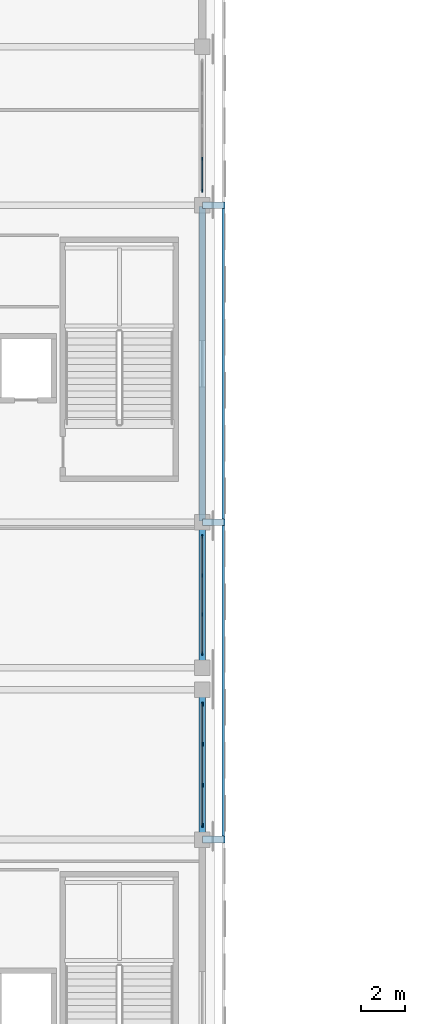
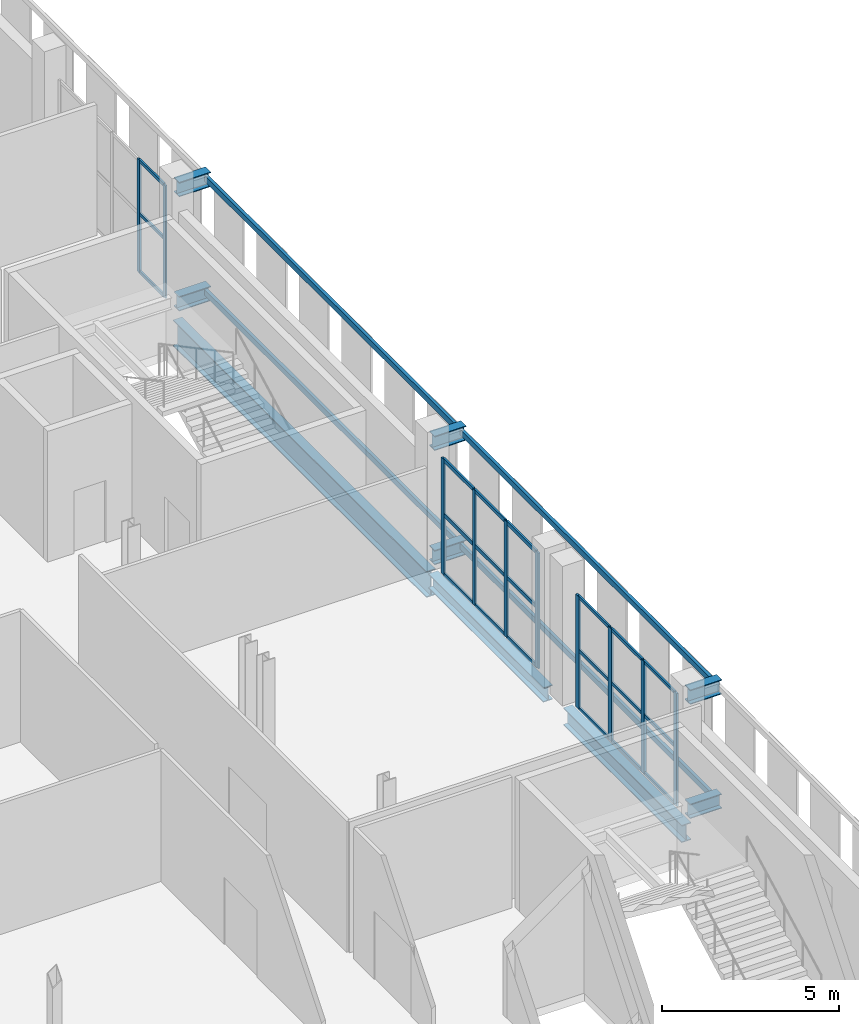
# One storey, part 49 of 104: 35 members, 9 beams, 3 elements without a shape of their own.
"""IFC4 building model written with IfcOpenShell, lengths in metres."""

from ifc_helpers import new_model, si_unit, direction, frame, origin, origin_2d, place, context, subcontext, project, spatial, rectangle, hollow_rectangle, i_section, extrude, material, material_profile, profile_set, type_object, element, aggregate, save


model = new_model("IFC4")

# Units and contexts
model_context = context("Model", 3, precision=1e-05, world=origin(), true_north=direction((0.0, 1.0)))
body_context = subcontext(model_context, "Body", "Model", "MODEL_VIEW")
ifc_project = project(units=[si_unit("LENGTHUNIT", "METRE"), si_unit("AREAUNIT", "SQUARE_METRE"), si_unit("VOLUMEUNIT", "CUBIC_METRE"), si_unit("PLANEANGLEUNIT", "RADIAN"), si_unit("MASSUNIT", "GRAM", prefix="KILO")], contexts=[model_context])

# Site, building, storey
site_placement = place(None, origin())
site = spatial("IfcSite", under=ifc_project, at=site_placement, CompositionType="ELEMENT")
building_placement = place(site_placement, origin())
building = spatial("IfcBuilding", under=site, at=building_placement, Name="Koshinbarg Plaza Stadium", CompositionType="ELEMENT")
storey_placement = place(building_placement, frame((0.0, 0.0, 19.800048828125)))
storey = spatial("IfcBuildingStorey", under=building, at=storey_placement, Name="L04", CompositionType="ELEMENT", Elevation=19.800048828125)

# Beams
ifc_material_1 = material(Name="Steel S355", Category="steel")
ifc_material_profile_1 = material_profile(ifc_material_1, i_section(OverallWidth=0.300048828125, OverallDepth=0.5, WebThickness=0.014404296875, FlangeThickness=0.028076171875, at=origin_2d()), Name="HEB 500")
ifc_profile_set_1 = profile_set([ifc_material_profile_1], Name="Steel S355")
beam_type_1 = type_object("IfcBeamType", Name="BM-CANOPY-CANT", PredefinedType="BEAM", material=ifc_profile_set_1)
for number, where, z_axis, x_axis, name in (
    (1, (218.39990234375, 68.699951171875, 0.25), (1.0, 0.0, 0.0), (0.0, 1.0, 0.0), "Outer screen cantilever outrigger E-L04-Y04"),
    (2, (218.39990234375, 68.699951171875, 4.179931640625), (1.0, 0.0, 0.0), (0.0, 1.0, 0.0), "Outer screen cantilever outrigger E-L04-Y04"),
    (3, (218.39990234375, 83.10009765625, 0.25), (1.0, 0.0, 0.0), (0.0, 1.0, 0.0), "Outer screen cantilever outrigger E-L04-Y05"),
    (4, (218.39990234375, 83.10009765625, 4.179931640625), (1.0, 0.0, 0.0), (0.0, 1.0, 0.0), "Outer screen cantilever outrigger E-L04-Y05"),
    (5, (218.39990234375, 97.5, 0.25), (1.0, 0.0, 0.0), (0.0, 1.0, 0.0), "Outer screen cantilever outrigger E-L04-Y06"),
    (6, (218.39990234375, 97.5, 4.179931640625), (1.0, 0.0, 0.0), (0.0, 1.0, 0.0), "Outer screen cantilever outrigger E-L04-Y06"),
):
    element("IfcBeam", number, at=place(storey_placement, frame(where, z_axis=z_axis, x_axis=x_axis)), inside=storey, type_object=beam_type_1, Name=name, PredefinedType="BEAM", context=body_context, shape_type="SweptSolid", body=[
        extrude(i_section(OverallWidth=0.300048828125, OverallDepth=0.5, WebThickness=0.014404296875, FlangeThickness=0.028076171875, at=origin_2d()), origin(), (0.0, 0.0, 1.0), 1.030029296875),
    ])
ifc_material_profile_2 = material_profile(ifc_material_1, i_section(OverallWidth=0.300048828125, OverallDepth=0.5, WebThickness=0.014404296875, FlangeThickness=0.028076171875, at=origin_2d()), Name="HEB 500")
ifc_profile_set_2 = profile_set([ifc_material_profile_2], Name="Steel S355")
beam_type_2 = type_object("IfcBeamType", Name="BM-SGIR-01", PredefinedType="USERDEFINED", material=ifc_profile_set_2)
beam_1_placement = place(storey_placement, frame((218.39990234375, 76.56005859375, -0.550048828125), z_axis=(0.0, 1.0, 0.0), x_axis=(-1.0, 0.0, 0.0)))
element("IfcBeam", 7, at=beam_1_placement, inside=storey, type_object=beam_type_2, Name="L04 Y girder 21/L-M", ObjectType="GIRDER", PredefinedType="USERDEFINED", context=body_context, shape_type="SweptSolid", body=[
    extrude(i_section(OverallWidth=0.300048828125, OverallDepth=0.5, WebThickness=0.014404296875, FlangeThickness=0.028076171875, at=origin_2d()), origin(), (0.0, 0.0, 1.0), 6.47998046875),
])
ifc_material_profile_3 = material_profile(ifc_material_1, i_section(OverallWidth=0.300048828125, OverallDepth=0.60009765625, WebThickness=0.015380859375, FlangeThickness=0.030029296875, at=origin_2d()), Name="HEB 600")
ifc_profile_set_3 = profile_set([ifc_material_profile_3], Name="Steel S355")
beam_type_3 = type_object("IfcBeamType", Name="BM-SGIR-02", PredefinedType="USERDEFINED", material=ifc_profile_set_3)
beam_2_placement = place(storey_placement, frame((218.39990234375, 68.760009765625, -0.60009765625), z_axis=(0.0, 1.0, 0.0), x_axis=(-1.0, 0.0, 0.0)))
element("IfcBeam", 8, at=beam_2_placement, inside=storey, type_object=beam_type_3, Name="L04 Y girder 21/J-K", ObjectType="GIRDER", PredefinedType="USERDEFINED", context=body_context, shape_type="SweptSolid", body=[
    extrude(i_section(OverallWidth=0.300048828125, OverallDepth=0.60009765625, WebThickness=0.015380859375, FlangeThickness=0.030029296875, at=origin_2d()), origin(), (0.0, 0.0, 1.0), 6.679931640625),
])
ifc_material_profile_4 = material_profile(ifc_material_1, i_section(OverallWidth=0.300048828125, OverallDepth=0.89990234375, WebThickness=0.0185546875, FlangeThickness=0.034912109375, at=origin_2d()), Name="HEB 900")
ifc_profile_set_4 = profile_set([ifc_material_profile_4], Name="Steel S355")
beam_type_4 = type_object("IfcBeamType", Name="BM-SGIR-05", PredefinedType="USERDEFINED", material=ifc_profile_set_4)
beam_3_placement = place(storey_placement, frame((218.39990234375, 83.159912109375, -0.75), z_axis=(0.0, 1.0, 0.0), x_axis=(-1.0, 0.0, 0.0)))
element("IfcBeam", 9, at=beam_3_placement, inside=storey, type_object=beam_type_4, Name="L04 Y girder 21/M-N", ObjectType="GIRDER", PredefinedType="USERDEFINED", context=body_context, shape_type="SweptSolid", body=[
    extrude(i_section(OverallWidth=0.300048828125, OverallDepth=0.89990234375, WebThickness=0.0185546875, FlangeThickness=0.034912109375, at=origin_2d()), origin(), (0.0, 0.0, 1.0), 14.280029296875),
])

# Curtain wall, members
ifc_material_2 = material(Name="Thermally broken anodised aluminium and low-E double glazing", Category="aluminium")
curtain_wall_type_1 = type_object("IfcCurtainWallType", Name="CW-SYS-05", PredefinedType="NOTDEFINED", material=ifc_material_2)
curtain_wall_1_placement = place(storey_placement, origin())
curtain_wall_1 = element("IfcCurtainWall", 10, at=curtain_wall_1_placement, inside=storey, type_object=curtain_wall_type_1, Name="L04 unitised curtain wall CW-L04-100", PredefinedType="NOTDEFINED")
ifc_material_3 = material(Name="Anodised aluminium mullion", Category="aluminium")
ifc_material_profile_5 = material_profile(ifc_material_3, rectangle(XDim=0.06005859375, YDim=0.139892578125, at=origin_2d()), Name="ALU 60x140")
ifc_profile_set_5 = profile_set([ifc_material_profile_5], Name="Anodised aluminium mullion")
member_type_1 = type_object("IfcMemberType", Name="CW-MUL-01", PredefinedType="MULLION", material=ifc_profile_set_5)
member_1_placement = place(storey_placement, frame((218.39990234375, 99.610107421875, 0.0), z_axis=(0.0, 0.0, 1.0), x_axis=(1.0, 0.0, 0.0)))
member_1 = element("IfcMember", 11, at=member_1_placement, type_object=member_type_1, Name="CW05 mullion 4", PredefinedType="MULLION", context=body_context, shape_type="SweptSolid", body=[
    extrude(rectangle(XDim=0.06005859375, YDim=0.139892578125, at=origin_2d()), origin(), (0.0, 0.0, 1.0), 3.8798828125),
])
member_2_placement = place(storey_placement, frame((218.39990234375, 98.14990234375, 0.0), z_axis=(0.0, 0.0, 1.0), x_axis=(1.0, 0.0, 0.0)))
member_2 = element("IfcMember", 12, at=member_2_placement, type_object=member_type_1, Name="CW05 mullion 5", PredefinedType="MULLION", context=body_context, shape_type="SweptSolid", body=[
    extrude(rectangle(XDim=0.06005859375, YDim=0.139892578125, at=origin_2d()), origin(), (0.0, 0.0, 1.0), 3.8798828125),
])

curtain_wall_type_2 = type_object("IfcCurtainWallType", Name="CW-SYS-06", PredefinedType="NOTDEFINED", material=ifc_material_2)
curtain_wall_2_placement = place(storey_placement, origin())
curtain_wall_2 = element("IfcCurtainWall", 13, at=curtain_wall_2_placement, inside=storey, type_object=curtain_wall_type_2, Name="L04 unitised curtain wall CW-L04-101", PredefinedType="NOTDEFINED")
ifc_material_profile_6 = material_profile(ifc_material_3, rectangle(XDim=0.06005859375, YDim=0.159912109375, at=origin_2d()), Name="ALU 60x160")
ifc_profile_set_6 = profile_set([ifc_material_profile_6], Name="Anodised aluminium mullion")
member_type_2 = type_object("IfcMemberType", Name="CW-MUL-02", PredefinedType="MULLION", material=ifc_profile_set_6)
member_3_placement = place(storey_placement, frame((218.39990234375, 82.449951171875, 0.0), z_axis=(0.0, 0.0, 1.0), x_axis=(1.0, 0.0, 0.0)))
member_3 = element("IfcMember", 14, at=member_3_placement, type_object=member_type_2, Name="CW06 mullion 1", PredefinedType="MULLION", context=body_context, shape_type="SweptSolid", body=[
    extrude(rectangle(XDim=0.06005859375, YDim=0.159912109375, at=origin_2d()), origin(), (0.0, 0.0, 1.0), 3.97998046875),
])
member_4_placement = place(storey_placement, frame((218.39990234375, 80.693359375, 0.0), z_axis=(0.0, 0.0, 1.0), x_axis=(1.0, 0.0, 0.0)))
member_4 = element("IfcMember", 15, at=member_4_placement, type_object=member_type_2, Name="CW06 mullion 2", PredefinedType="MULLION", context=body_context, shape_type="SweptSolid", body=[
    extrude(rectangle(XDim=0.06005859375, YDim=0.159912109375, at=origin_2d()), origin(), (0.0, 0.0, 1.0), 3.97998046875),
])
member_5_placement = place(storey_placement, frame((218.39990234375, 78.90673828125, 0.0), z_axis=(0.0, 0.0, 1.0), x_axis=(1.0, 0.0, 0.0)))
member_5 = element("IfcMember", 16, at=member_5_placement, type_object=member_type_2, Name="CW06 mullion 3", PredefinedType="MULLION", context=body_context, shape_type="SweptSolid", body=[
    extrude(rectangle(XDim=0.06005859375, YDim=0.159912109375, at=origin_2d()), origin(), (0.0, 0.0, 1.0), 3.97998046875),
])
member_6_placement = place(storey_placement, frame((218.39990234375, 77.14990234375, 0.0), z_axis=(0.0, 0.0, 1.0), x_axis=(1.0, 0.0, 0.0)))
member_6 = element("IfcMember", 17, at=member_6_placement, type_object=member_type_2, Name="CW06 mullion 4", PredefinedType="MULLION", context=body_context, shape_type="SweptSolid", body=[
    extrude(rectangle(XDim=0.06005859375, YDim=0.159912109375, at=origin_2d()), origin(), (0.0, 0.0, 1.0), 3.97998046875),
])

curtain_wall_type_3 = type_object("IfcCurtainWallType", Name="CW-SYS-07", PredefinedType="NOTDEFINED", material=ifc_material_2)
curtain_wall_3_placement = place(storey_placement, origin())
curtain_wall_3 = element("IfcCurtainWall", 18, at=curtain_wall_3_placement, inside=storey, type_object=curtain_wall_type_3, Name="L04 unitised curtain wall CW-L04-102", PredefinedType="NOTDEFINED")
ifc_material_profile_7 = material_profile(ifc_material_3, rectangle(XDim=0.070068359375, YDim=0.179931640625, at=origin_2d()), Name="ALU 70x180")
ifc_profile_set_7 = profile_set([ifc_material_profile_7], Name="Anodised aluminium mullion")
member_type_3 = type_object("IfcMemberType", Name="CW-MUL-03", PredefinedType="MULLION", material=ifc_profile_set_7)
member_7_placement = place(storey_placement, frame((218.39990234375, 74.85009765625, 0.0), z_axis=(0.0, 0.0, 1.0), x_axis=(1.0, 0.0, 0.0)))
member_7 = element("IfcMember", 19, at=member_7_placement, type_object=member_type_3, Name="CW07 mullion 1", PredefinedType="MULLION", context=body_context, shape_type="SweptSolid", body=[
    extrude(rectangle(XDim=0.070068359375, YDim=0.179931640625, at=origin_2d()), origin(), (0.0, 0.0, 1.0), 3.8798828125),
])
member_8_placement = place(storey_placement, frame((218.39990234375, 73.026611328125, 0.0), z_axis=(0.0, 0.0, 1.0), x_axis=(1.0, 0.0, 0.0)))
member_8 = element("IfcMember", 20, at=member_8_placement, type_object=member_type_3, Name="CW07 mullion 2", PredefinedType="MULLION", context=body_context, shape_type="SweptSolid", body=[
    extrude(rectangle(XDim=0.070068359375, YDim=0.179931640625, at=origin_2d()), origin(), (0.0, 0.0, 1.0), 3.8798828125),
])
member_9_placement = place(storey_placement, frame((218.39990234375, 71.17333984375, 0.0), z_axis=(0.0, 0.0, 1.0), x_axis=(1.0, 0.0, 0.0)))
member_9 = element("IfcMember", 21, at=member_9_placement, type_object=member_type_3, Name="CW07 mullion 3", PredefinedType="MULLION", context=body_context, shape_type="SweptSolid", body=[
    extrude(rectangle(XDim=0.070068359375, YDim=0.179931640625, at=origin_2d()), origin(), (0.0, 0.0, 1.0), 3.8798828125),
])
member_10_placement = place(storey_placement, frame((218.39990234375, 69.35009765625, 0.0), z_axis=(0.0, 0.0, 1.0), x_axis=(1.0, 0.0, 0.0)))
member_10 = element("IfcMember", 22, at=member_10_placement, type_object=member_type_3, Name="CW07 mullion 4", PredefinedType="MULLION", context=body_context, shape_type="SweptSolid", body=[
    extrude(rectangle(XDim=0.070068359375, YDim=0.179931640625, at=origin_2d()), origin(), (0.0, 0.0, 1.0), 3.8798828125),
])

# Member
ifc_material_4 = material(Name="Anodised aluminium transom", Category="aluminium")
ifc_material_profile_8 = material_profile(ifc_material_4, rectangle(XDim=0.06005859375, YDim=0.110107421875, at=origin_2d()), Name="ALU 60x110")
ifc_profile_set_8 = profile_set([ifc_material_profile_8], Name="Anodised aluminium transom")
member_type_4 = type_object("IfcMemberType", Name="CW-TRN-01", PredefinedType="USERDEFINED", material=ifc_profile_set_8)
member_11_placement = place(storey_placement, frame((218.39990234375, 99.580078125, 0.030029296875), z_axis=(0.0, -1.0, 0.0), x_axis=(1.0, 0.0, 0.0)))
member_11 = element("IfcMember", 23, at=member_11_placement, type_object=member_type_4, Name="CW05 transom 4.1", ObjectType="TRANSOM", PredefinedType="USERDEFINED", context=body_context, shape_type="SweptSolid", body=[
    extrude(rectangle(XDim=0.06005859375, YDim=0.110107421875, at=origin_2d()), origin(), (0.0, 0.0, 1.0), 1.400146484375),
])

member_12_placement = place(storey_placement, frame((218.39990234375, 99.580078125, 2.017578125), z_axis=(0.0, -1.0, 0.0), x_axis=(1.0, 0.0, 0.0)))
member_12 = element("IfcMember", 24, at=member_12_placement, type_object=member_type_4, Name="CW05 transom 4.2", ObjectType="TRANSOM", PredefinedType="USERDEFINED", context=body_context, shape_type="SweptSolid", body=[
    extrude(rectangle(XDim=0.06005859375, YDim=0.110107421875, at=origin_2d()), origin(), (0.0, 0.0, 1.0), 1.400146484375),
])

member_13_placement = place(storey_placement, frame((218.39990234375, 99.580078125, 3.849853515625), z_axis=(0.0, -1.0, 0.0), x_axis=(1.0, 0.0, 0.0)))
member_13 = element("IfcMember", 25, at=member_13_placement, type_object=member_type_4, Name="CW05 transom 4.3", ObjectType="TRANSOM", PredefinedType="USERDEFINED", context=body_context, shape_type="SweptSolid", body=[
    extrude(rectangle(XDim=0.06005859375, YDim=0.110107421875, at=origin_2d()), origin(), (0.0, 0.0, 1.0), 1.400146484375),
])

aggregate(curtain_wall_1, [member_1, member_2, member_11, member_12, member_13])

member_14_placement = place(storey_placement, frame((218.39990234375, 74.820068359375, 0.030029296875), z_axis=(0.0, -1.0, 0.0), x_axis=(1.0, 0.0, 0.0)))
member_14 = element("IfcMember", 26, at=member_14_placement, type_object=member_type_4, Name="CW07 transom 1.1", ObjectType="TRANSOM", PredefinedType="USERDEFINED", context=body_context, shape_type="SweptSolid", body=[
    extrude(rectangle(XDim=0.06005859375, YDim=0.110107421875, at=origin_2d()), origin(), (0.0, 0.0, 1.0), 1.763427734375),
])

member_15_placement = place(storey_placement, frame((218.39990234375, 74.820068359375, 2.017578125), z_axis=(0.0, -1.0, 0.0), x_axis=(1.0, 0.0, 0.0)))
member_15 = element("IfcMember", 27, at=member_15_placement, type_object=member_type_4, Name="CW07 transom 1.2", ObjectType="TRANSOM", PredefinedType="USERDEFINED", context=body_context, shape_type="SweptSolid", body=[
    extrude(rectangle(XDim=0.06005859375, YDim=0.110107421875, at=origin_2d()), origin(), (0.0, 0.0, 1.0), 1.763427734375),
])

member_16_placement = place(storey_placement, frame((218.39990234375, 74.820068359375, 3.849853515625), z_axis=(0.0, -1.0, 0.0), x_axis=(1.0, 0.0, 0.0)))
member_16 = element("IfcMember", 28, at=member_16_placement, type_object=member_type_4, Name="CW07 transom 1.3", ObjectType="TRANSOM", PredefinedType="USERDEFINED", context=body_context, shape_type="SweptSolid", body=[
    extrude(rectangle(XDim=0.06005859375, YDim=0.110107421875, at=origin_2d()), origin(), (0.0, 0.0, 1.0), 1.763427734375),
])

member_17_placement = place(storey_placement, frame((218.39990234375, 72.99658203125, 0.030029296875), z_axis=(0.0, -1.0, 0.0), x_axis=(1.0, 0.0, 0.0)))
member_17 = element("IfcMember", 29, at=member_17_placement, type_object=member_type_4, Name="CW07 transom 2.1", ObjectType="TRANSOM", PredefinedType="USERDEFINED", context=body_context, shape_type="SweptSolid", body=[
    extrude(rectangle(XDim=0.06005859375, YDim=0.110107421875, at=origin_2d()), origin(), (0.0, 0.0, 1.0), 1.793212890625),
])

member_18_placement = place(storey_placement, frame((218.39990234375, 72.99658203125, 2.017578125), z_axis=(0.0, -1.0, 0.0), x_axis=(1.0, 0.0, 0.0)))
member_18 = element("IfcMember", 30, at=member_18_placement, type_object=member_type_4, Name="CW07 transom 2.2", ObjectType="TRANSOM", PredefinedType="USERDEFINED", context=body_context, shape_type="SweptSolid", body=[
    extrude(rectangle(XDim=0.06005859375, YDim=0.110107421875, at=origin_2d()), origin(), (0.0, 0.0, 1.0), 1.793212890625),
])

member_19_placement = place(storey_placement, frame((218.39990234375, 72.99658203125, 3.849853515625), z_axis=(0.0, -1.0, 0.0), x_axis=(1.0, 0.0, 0.0)))
member_19 = element("IfcMember", 31, at=member_19_placement, type_object=member_type_4, Name="CW07 transom 2.3", ObjectType="TRANSOM", PredefinedType="USERDEFINED", context=body_context, shape_type="SweptSolid", body=[
    extrude(rectangle(XDim=0.06005859375, YDim=0.110107421875, at=origin_2d()), origin(), (0.0, 0.0, 1.0), 1.793212890625),
])

member_20_placement = place(storey_placement, frame((218.39990234375, 71.143310546875, 0.030029296875), z_axis=(0.0, -1.0, 0.0), x_axis=(1.0, 0.0, 0.0)))
member_20 = element("IfcMember", 32, at=member_20_placement, type_object=member_type_4, Name="CW07 transom 3.1", ObjectType="TRANSOM", PredefinedType="USERDEFINED", context=body_context, shape_type="SweptSolid", body=[
    extrude(rectangle(XDim=0.06005859375, YDim=0.110107421875, at=origin_2d()), origin(), (0.0, 0.0, 1.0), 1.763427734375),
])

member_21_placement = place(storey_placement, frame((218.39990234375, 71.143310546875, 2.017578125), z_axis=(0.0, -1.0, 0.0), x_axis=(1.0, 0.0, 0.0)))
member_21 = element("IfcMember", 33, at=member_21_placement, type_object=member_type_4, Name="CW07 transom 3.2", ObjectType="TRANSOM", PredefinedType="USERDEFINED", context=body_context, shape_type="SweptSolid", body=[
    extrude(rectangle(XDim=0.06005859375, YDim=0.110107421875, at=origin_2d()), origin(), (0.0, 0.0, 1.0), 1.763427734375),
])

member_22_placement = place(storey_placement, frame((218.39990234375, 71.143310546875, 3.849853515625), z_axis=(0.0, -1.0, 0.0), x_axis=(1.0, 0.0, 0.0)))
member_22 = element("IfcMember", 34, at=member_22_placement, type_object=member_type_4, Name="CW07 transom 3.3", ObjectType="TRANSOM", PredefinedType="USERDEFINED", context=body_context, shape_type="SweptSolid", body=[
    extrude(rectangle(XDim=0.06005859375, YDim=0.110107421875, at=origin_2d()), origin(), (0.0, 0.0, 1.0), 1.763427734375),
])

aggregate(curtain_wall_3, [member_7, member_8, member_9, member_10, member_14, member_15, member_16, member_17, member_18, member_19, member_20, member_21, member_22])

ifc_material_profile_9 = material_profile(ifc_material_4, rectangle(XDim=0.06005859375, YDim=0.1298828125, at=origin_2d()), Name="ALU 60x130")
ifc_profile_set_9 = profile_set([ifc_material_profile_9], Name="Anodised aluminium transom")
member_type_5 = type_object("IfcMemberType", Name="CW-TRN-02", PredefinedType="USERDEFINED", material=ifc_profile_set_9)
member_23_placement = place(storey_placement, frame((218.39990234375, 82.419921875, 0.030029296875), z_axis=(0.0, -1.0, 0.0), x_axis=(1.0, 0.0, 0.0)))
member_23 = element("IfcMember", 35, at=member_23_placement, type_object=member_type_5, Name="CW06 transom 1.1", ObjectType="TRANSOM", PredefinedType="USERDEFINED", context=body_context, shape_type="SweptSolid", body=[
    extrude(rectangle(XDim=0.06005859375, YDim=0.1298828125, at=origin_2d()), origin(), (0.0, 0.0, 1.0), 1.696533203125),
])

member_24_placement = place(storey_placement, frame((218.39990234375, 82.419921875, 2.069580078125), z_axis=(0.0, -1.0, 0.0), x_axis=(1.0, 0.0, 0.0)))
member_24 = element("IfcMember", 36, at=member_24_placement, type_object=member_type_5, Name="CW06 transom 1.2", ObjectType="TRANSOM", PredefinedType="USERDEFINED", context=body_context, shape_type="SweptSolid", body=[
    extrude(rectangle(XDim=0.06005859375, YDim=0.1298828125, at=origin_2d()), origin(), (0.0, 0.0, 1.0), 1.696533203125),
])

member_25_placement = place(storey_placement, frame((218.39990234375, 82.419921875, 3.949951171875), z_axis=(0.0, -1.0, 0.0), x_axis=(1.0, 0.0, 0.0)))
member_25 = element("IfcMember", 37, at=member_25_placement, type_object=member_type_5, Name="CW06 transom 1.3", ObjectType="TRANSOM", PredefinedType="USERDEFINED", context=body_context, shape_type="SweptSolid", body=[
    extrude(rectangle(XDim=0.06005859375, YDim=0.1298828125, at=origin_2d()), origin(), (0.0, 0.0, 1.0), 1.696533203125),
])

member_26_placement = place(storey_placement, frame((218.39990234375, 80.663330078125, 0.030029296875), z_axis=(0.0, -1.0, 0.0), x_axis=(1.0, 0.0, 0.0)))
member_26 = element("IfcMember", 38, at=member_26_placement, type_object=member_type_5, Name="CW06 transom 2.1", ObjectType="TRANSOM", PredefinedType="USERDEFINED", context=body_context, shape_type="SweptSolid", body=[
    extrude(rectangle(XDim=0.06005859375, YDim=0.1298828125, at=origin_2d()), origin(), (0.0, 0.0, 1.0), 1.7265625),
])

member_27_placement = place(storey_placement, frame((218.39990234375, 80.663330078125, 2.069580078125), z_axis=(0.0, -1.0, 0.0), x_axis=(1.0, 0.0, 0.0)))
member_27 = element("IfcMember", 39, at=member_27_placement, type_object=member_type_5, Name="CW06 transom 2.2", ObjectType="TRANSOM", PredefinedType="USERDEFINED", context=body_context, shape_type="SweptSolid", body=[
    extrude(rectangle(XDim=0.06005859375, YDim=0.1298828125, at=origin_2d()), origin(), (0.0, 0.0, 1.0), 1.7265625),
])

member_28_placement = place(storey_placement, frame((218.39990234375, 80.663330078125, 3.949951171875), z_axis=(0.0, -1.0, 0.0), x_axis=(1.0, 0.0, 0.0)))
member_28 = element("IfcMember", 40, at=member_28_placement, type_object=member_type_5, Name="CW06 transom 2.3", ObjectType="TRANSOM", PredefinedType="USERDEFINED", context=body_context, shape_type="SweptSolid", body=[
    extrude(rectangle(XDim=0.06005859375, YDim=0.1298828125, at=origin_2d()), origin(), (0.0, 0.0, 1.0), 1.7265625),
])

member_29_placement = place(storey_placement, frame((218.39990234375, 78.876708984375, 0.030029296875), z_axis=(0.0, -1.0, 0.0), x_axis=(1.0, 0.0, 0.0)))
member_29 = element("IfcMember", 41, at=member_29_placement, type_object=member_type_5, Name="CW06 transom 3.1", ObjectType="TRANSOM", PredefinedType="USERDEFINED", context=body_context, shape_type="SweptSolid", body=[
    extrude(rectangle(XDim=0.06005859375, YDim=0.1298828125, at=origin_2d()), origin(), (0.0, 0.0, 1.0), 1.69677734375),
])

member_30_placement = place(storey_placement, frame((218.39990234375, 78.876708984375, 2.069580078125), z_axis=(0.0, -1.0, 0.0), x_axis=(1.0, 0.0, 0.0)))
member_30 = element("IfcMember", 42, at=member_30_placement, type_object=member_type_5, Name="CW06 transom 3.2", ObjectType="TRANSOM", PredefinedType="USERDEFINED", context=body_context, shape_type="SweptSolid", body=[
    extrude(rectangle(XDim=0.06005859375, YDim=0.1298828125, at=origin_2d()), origin(), (0.0, 0.0, 1.0), 1.69677734375),
])

member_31_placement = place(storey_placement, frame((218.39990234375, 78.876708984375, 3.949951171875), z_axis=(0.0, -1.0, 0.0), x_axis=(1.0, 0.0, 0.0)))
member_31 = element("IfcMember", 43, at=member_31_placement, type_object=member_type_5, Name="CW06 transom 3.3", ObjectType="TRANSOM", PredefinedType="USERDEFINED", context=body_context, shape_type="SweptSolid", body=[
    extrude(rectangle(XDim=0.06005859375, YDim=0.1298828125, at=origin_2d()), origin(), (0.0, 0.0, 1.0), 1.69677734375),
])

aggregate(curtain_wall_2, [member_3, member_4, member_5, member_6, member_23, member_24, member_25, member_26, member_27, member_28, member_29, member_30, member_31])

# Members
ifc_material_profile_10 = material_profile(ifc_material_1, hollow_rectangle(XDim=0.10009765625, YDim=0.199951171875, WallThickness=0.008056640625, at=origin_2d()), Name="RHS 200x100x8")
ifc_profile_set_10 = profile_set([ifc_material_profile_10], Name="Steel S355")
member_type_6 = type_object("IfcMemberType", Name="MB-PURL-03", PredefinedType="PURLIN", material=ifc_profile_set_10)
for number, where, z_axis, x_axis, name in (
    (44, (219.35009765625, 68.699951171875, 0.25), (0.0, 1.0, 0.0), (-1.0, 0.0, 0.0), "L04 outer screen subframe rail E-4-BOT"),
    (45, (219.35009765625, 68.699951171875, 4.179931640625), (0.0, 1.0, 0.0), (-1.0, 0.0, 0.0), "L04 outer screen subframe rail E-4-TOP"),
):
    element("IfcMember", number, at=place(storey_placement, frame(where, z_axis=z_axis, x_axis=x_axis)), inside=storey, type_object=member_type_6, Name=name, PredefinedType="PURLIN", context=body_context, shape_type="SweptSolid", body=[
        extrude(hollow_rectangle(XDim=0.10009765625, YDim=0.199951171875, WallThickness=0.008056640625, at=origin_2d()), origin(), (0.0, 0.0, 1.0), 14.400146484375),
    ])
for number, where, z_axis, x_axis, name in (
    (46, (219.35009765625, 83.10009765625, 0.25), (0.0, 1.0, 0.0), (-1.0, 0.0, 0.0), "L04 outer screen subframe rail E-5-BOT"),
    (47, (219.35009765625, 83.10009765625, 4.179931640625), (0.0, 1.0, 0.0), (-1.0, 0.0, 0.0), "L04 outer screen subframe rail E-5-TOP"),
):
    element("IfcMember", number, at=place(storey_placement, frame(where, z_axis=z_axis, x_axis=x_axis)), inside=storey, type_object=member_type_6, Name=name, PredefinedType="PURLIN", context=body_context, shape_type="SweptSolid", body=[
        extrude(hollow_rectangle(XDim=0.10009765625, YDim=0.199951171875, WallThickness=0.008056640625, at=origin_2d()), origin(), (0.0, 0.0, 1.0), 14.39990234375),
    ])

save(model, "model.ifc")
